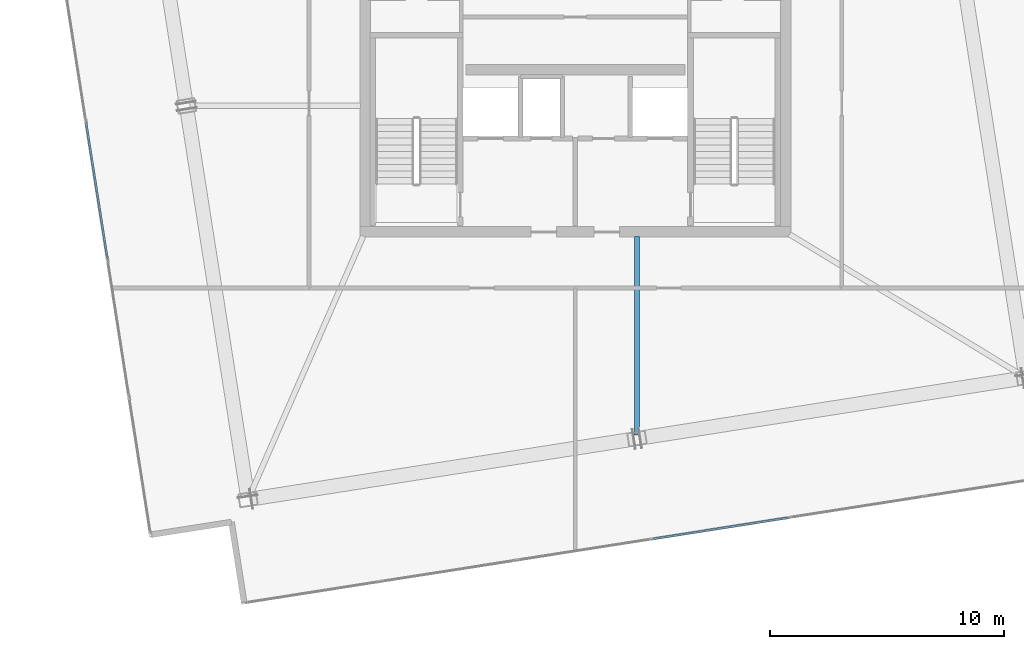
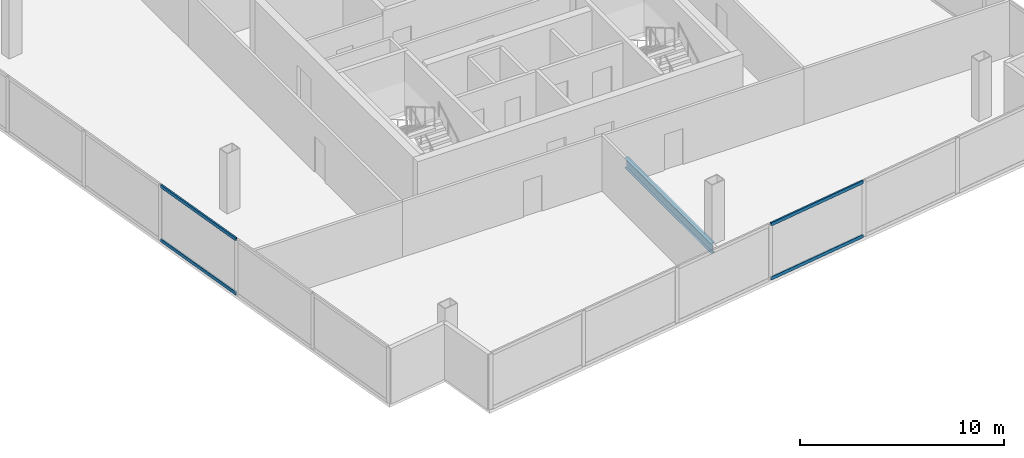
# One storey, part 4 of 17: 4 members, 1 beam, 2 elements without a shape of their own.
"""IFC4 building model written with IfcOpenShell, lengths in metres."""

from ifc_helpers import new_model, si_unit, direction, frame, origin, origin_2d, place, context, subcontext, project, spatial, hollow_rectangle, i_section, extrude, material, material_profile, profile_set, type_object, element, aggregate, save


model = new_model("IFC4")

# Units and contexts
model_context = context("Model", 3, precision=1e-05, world=origin(), true_north=direction((0.0, 1.0)))
body_context = subcontext(model_context, "Body", "Model", "MODEL_VIEW")
ifc_project = project(units=[si_unit("LENGTHUNIT", "METRE"), si_unit("AREAUNIT", "SQUARE_METRE"), si_unit("VOLUMEUNIT", "CUBIC_METRE"), si_unit("PLANEANGLEUNIT", "RADIAN"), si_unit("MASSUNIT", "GRAM", prefix="KILO")], contexts=[model_context])

# Site, building, storey
site_placement = place(None, origin())
site = spatial("IfcSite", under=ifc_project, at=site_placement, CompositionType="ELEMENT")
building_placement = place(site_placement, origin())
building = spatial("IfcBuilding", under=site, at=building_placement, Name="Haldenkirk Collegiate Tower", CompositionType="ELEMENT")
storey_placement = place(building_placement, frame((0.0, 0.0, 364.199951171875)))
storey = spatial("IfcBuildingStorey", under=building, at=storey_placement, Name="L92", CompositionType="ELEMENT", Elevation=364.199951171875)

# Beam
ifc_material_1 = material(Name="Steel ASTM A992 Grade 50", Category="steel")
ifc_material_profile_1 = material_profile(ifc_material_1, i_section(OverallWidth=0.22998046875, OverallDepth=0.616943359375, WebThickness=0.01318359375, FlangeThickness=0.022216796875, at=origin_2d()), Name="W24X94")
ifc_profile_set_1 = profile_set([ifc_material_profile_1], Name="Steel ASTM A992 Grade 50")
beam_type = type_object("IfcBeamType", Name="BM-GIRDER-W24X94", PredefinedType="BEAM", material=ifc_profile_set_1)
beam_placement = place(storey_placement, frame((38.6376953125, 9.305419921875, -0.578369140625), z_axis=(0.0, 1.0, 0.0), x_axis=(-1.0, 0.0, 0.0)))
element("IfcBeam", 1, at=beam_placement, inside=storey, type_object=beam_type, Name="L92 crown radial floor beam 8", PredefinedType="BEAM", context=body_context, shape_type="SweptSolid", body=[
    extrude(i_section(OverallWidth=0.22998046875, OverallDepth=0.616943359375, WebThickness=0.01318359375, FlangeThickness=0.022216796875, at=origin_2d()), origin(), (0.0, 0.0, 1.0), 8.49462890625),
])

# Curtain wall, members
ifc_material_2 = material(Name="Anodised architectural bronze aluminium", Category="aluminium")
curtain_wall_type = type_object("IfcCurtainWallType", Name="CW-SYS6-CROWN", PredefinedType="USERDEFINED", material=ifc_material_2)
curtain_wall_1_placement = place(storey_placement, origin())
curtain_wall_1 = element("IfcCurtainWall", 2, at=curtain_wall_1_placement, inside=storey, type_object=curtain_wall_type, Name="L92 Closed crown ring ceramic-fritted bronze screen curtain wall", ObjectType="UNITISED CURTAIN WALL", PredefinedType="USERDEFINED")
ifc_material_profile_2 = material_profile(ifc_material_2, hollow_rectangle(XDim=0.090087890625, YDim=0.18994140625, WallThickness=0.0048828125, at=origin_2d()), Name="CW-TRN-06")
ifc_profile_set_2 = profile_set([ifc_material_profile_2], Name="Anodised architectural bronze aluminium")
member_type = type_object("IfcMemberType", Name="CW-TRN-06", PredefinedType="USERDEFINED", material=ifc_profile_set_2)
member_1_placement = place(storey_placement, frame((15.971435546875, 16.869873046875, 0.045166015625), z_axis=(-0.154710174658, 0.987959898912, 0.0), x_axis=(-0.987959898912, -0.154710174658, 0.0)))
member_1 = element("IfcMember", 3, at=member_1_placement, type_object=member_type, Name="CW-06 transom 3.1", ObjectType="TRANSOM", PredefinedType="USERDEFINED", context=body_context, shape_type="SweptSolid", body=[
    extrude(hollow_rectangle(XDim=0.090087890625, YDim=0.18994140625, WallThickness=0.0048828125, at=origin_2d()), origin(), (0.0, 0.0, 1.0), 5.876708984375),
])
member_2_placement = place(storey_placement, frame((15.971435546875, 16.869873046875, 3.28515625), z_axis=(-0.154710174658, 0.987959898912, 0.0), x_axis=(-0.987959898912, -0.154710174658, 0.0)))
member_2 = element("IfcMember", 4, at=member_2_placement, type_object=member_type, Name="CW-06 transom 3.2", ObjectType="TRANSOM", PredefinedType="USERDEFINED", context=body_context, shape_type="SweptSolid", body=[
    extrude(hollow_rectangle(XDim=0.090087890625, YDim=0.18994140625, WallThickness=0.0048828125, at=origin_2d()), origin(), (0.0, 0.0, 1.0), 5.876708984375),
])
aggregate(curtain_wall_1, [member_1, member_2])

curtain_wall_2_placement = place(storey_placement, origin())
curtain_wall_2 = element("IfcCurtainWall", 5, at=curtain_wall_2_placement, inside=storey, type_object=curtain_wall_type, Name="L92 Closed crown ring ceramic-fritted bronze screen curtain wall", ObjectType="UNITISED CURTAIN WALL", PredefinedType="USERDEFINED")
member_3_placement = place(storey_placement, frame((45.09521484375, 5.763427734375, 0.045166015625), z_axis=(-0.987958095237, -0.154721692257, 0.0), x_axis=(0.154721692257, -0.987958095237, 0.0)))
member_3 = element("IfcMember", 6, at=member_3_placement, type_object=member_type, Name="CW-06 transom 3.1", ObjectType="TRANSOM", PredefinedType="USERDEFINED", context=body_context, shape_type="SweptSolid", body=[
    extrude(hollow_rectangle(XDim=0.090087890625, YDim=0.18994140625, WallThickness=0.0048828125, at=origin_2d()), origin(), (0.0, 0.0, 1.0), 5.81005859375),
])
member_4_placement = place(storey_placement, frame((45.09521484375, 5.763427734375, 3.28515625), z_axis=(-0.987958095237, -0.154721692257, 0.0), x_axis=(0.154721692257, -0.987958095237, 0.0)))
member_4 = element("IfcMember", 7, at=member_4_placement, type_object=member_type, Name="CW-06 transom 3.2", ObjectType="TRANSOM", PredefinedType="USERDEFINED", context=body_context, shape_type="SweptSolid", body=[
    extrude(hollow_rectangle(XDim=0.090087890625, YDim=0.18994140625, WallThickness=0.0048828125, at=origin_2d()), origin(), (0.0, 0.0, 1.0), 5.81005859375),
])
aggregate(curtain_wall_2, [member_3, member_4])

save(model, "model.ifc")
